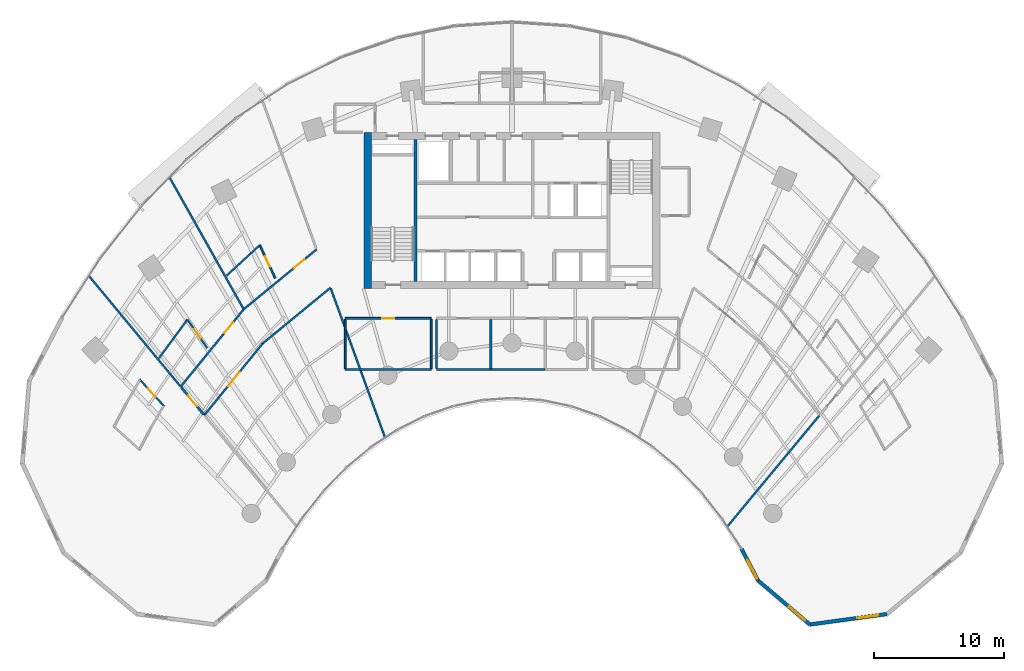
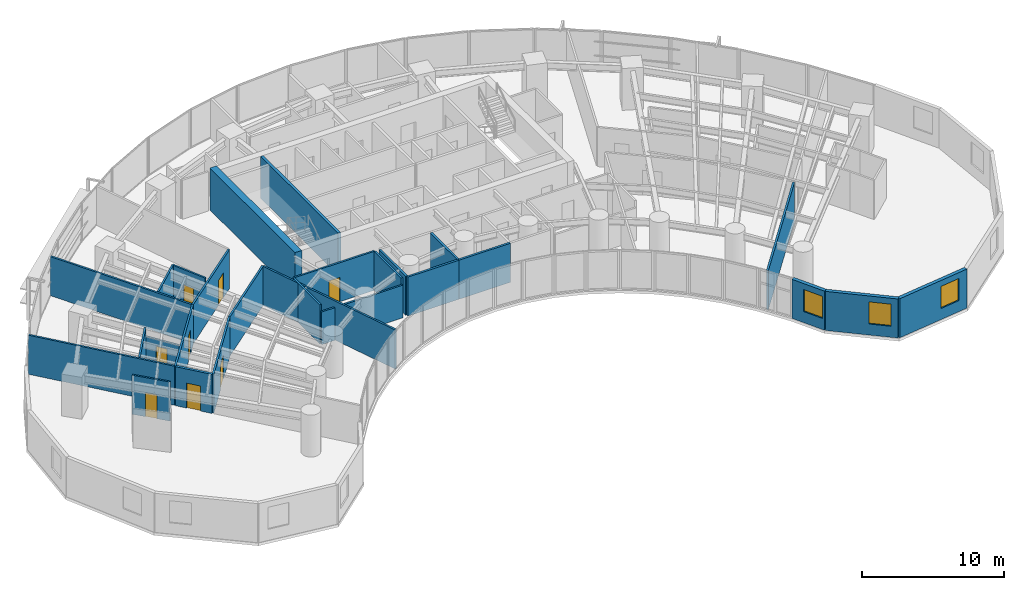
# One storey, part 11 of 17: 27 walls, 8 doors, 3 windows, 11 openings.
"""IFC4 building model written with IfcOpenShell, lengths in metres."""

import ifcopenshell
import ifcopenshell.guid

model = None  # the IFC model being written
_history = None  # IfcOwnerHistory: only IFC2X3 demands one
_inside = {}  # id of a spatial element -> (the spatial element, [elements in it])
_under = {}  # id of a project, library or spatial element -> (it, [spatial elements below it])
_declared = {}  # id of a project -> (the project, [libraries it declares])
_typed = {}  # id of a type object -> (the type object, [elements of that type])
_made_of = {}  # id of a material, layer set ... -> (it, [elements and type objects made of it])


def new_model(schema):
    """Start an empty IFC model of exactly this schema.

    Asked for "IFC4X3", IfcOpenShell would pick the latest addendum, in which some entities
    have other attributes; the version numbers below select the first issue.
    IFC2X3 requires an IfcOwnerHistory on every rooted entity: one is made here for all.
    """
    global model, _history
    if schema == "IFC4X3":
        model = ifcopenshell.file(schema_version=(4, 3, 0, 0))
    else:
        model = ifcopenshell.file(schema=schema)
    _inside.clear()
    _under.clear()
    _declared.clear()
    _typed.clear()
    _made_of.clear()
    _history = None
    if model.schema == "IFC2X3":
        org = make("IfcOrganization", Name="unknown")
        user = make(
            "IfcPersonAndOrganization",
            ThePerson=make("IfcPerson", FamilyName="unknown"),
            TheOrganization=org,
        )
        app = make(
            "IfcApplication",
            ApplicationDeveloper=org,
            Version="unknown",
            ApplicationFullName="unknown",
            ApplicationIdentifier="unknown",
        )
        _history = make(
            "IfcOwnerHistory",
            OwningUser=user,
            OwningApplication=app,
            ChangeAction="ADDED",
            CreationDate=0,
        )
    return model


def make(cls, **values):
    """One entity of the class cls with the attributes given. An attribute that is None is left unset."""
    return model.create_entity(
        cls, **{name: value for name, value in values.items() if value is not None}
    )


def rooted(cls, **values):
    """An entity with a GlobalId (a new one), such as an element, a storey or a relation."""
    return make(cls, GlobalId=ifcopenshell.guid.new(), OwnerHistory=_history, **values)


def si_unit(unit_type, name, prefix=None):
    """IfcSIUnit, for example si_unit("LENGTHUNIT", "METRE", prefix="MILLI")."""
    return make("IfcSIUnit", UnitType=unit_type, Prefix=prefix, Name=name)


def assignment(units):
    """IfcUnitAssignment: the units of a project."""
    return None if units is None else make("IfcUnitAssignment", Units=units)


def point(xyz):
    """IfcCartesianPoint."""
    return None if xyz is None else make("IfcCartesianPoint", Coordinates=xyz)


def direction(xyz):
    """IfcDirection."""
    return None if xyz is None else make("IfcDirection", DirectionRatios=xyz)


def frame(location, z_axis=None, x_axis=None):
    """IfcAxis2Placement3D, a coordinate frame: its origin and axes. An axis left out is left unset."""
    return make(
        "IfcAxis2Placement3D",
        Location=point(location),
        Axis=direction(z_axis),
        RefDirection=direction(x_axis),
    )


def frame_2d(location, x_axis=None):
    """IfcAxis2Placement2D, a coordinate frame in the plane: its origin and x axis."""
    return make(
        "IfcAxis2Placement2D", Location=point(location), RefDirection=direction(x_axis)
    )


def origin():
    """The frame at (0, 0, 0) with its axes left unset."""
    return frame((0.0, 0.0, 0.0))


def place(relative_to, where):
    """IfcLocalPlacement: puts the frame where relative to a parent placement (None: the world)."""
    return make(
        "IfcLocalPlacement", PlacementRelTo=relative_to, RelativePlacement=where
    )


def context(
    kind, dimensions, precision=None, world=None, true_north=None, identifier=None
):
    """IfcGeometricRepresentationContext, for example the 3D "Model" context."""
    return make(
        "IfcGeometricRepresentationContext",
        ContextIdentifier=identifier,
        ContextType=kind,
        CoordinateSpaceDimension=dimensions,
        Precision=precision,
        WorldCoordinateSystem=world,
        TrueNorth=true_north,
    )


def subcontext(parent, identifier, kind, view, scale=None):
    """IfcGeometricRepresentationSubContext, for example "Body" below "Model"."""
    return make(
        "IfcGeometricRepresentationSubContext",
        ContextIdentifier=identifier,
        ContextType=kind,
        ParentContext=parent,
        TargetScale=scale,
        TargetView=view,
    )


def project(units=None, contexts=None):
    """IfcProject with its units and contexts."""
    return rooted(
        "IfcProject",
        Name="project",
        RepresentationContexts=contexts,
        UnitsInContext=assignment(units),
    )


def spatial(cls, under=None, at=None, **own):
    """A site, building, storey or space (cls), placed at a placement, below another one or the project."""
    s = rooted(cls, ObjectPlacement=at, **own)
    if under is not None:
        _under.setdefault(under.id(), (under, []))[1].append(s)
    return s


def profile(cls, at=None, kind="AREA", **sizes):
    """A parametric profile (cls). Its sizes go by their IFC names, for example OverallWidth=200.0."""
    return make(cls, ProfileType=kind, Position=at, **sizes)


def rectangle(**sizes):
    """IfcRectangleProfileDef."""
    return profile("IfcRectangleProfileDef", **sizes)


def extrude(swept, where, along, depth):
    """IfcExtrudedAreaSolid: the profile swept, set in the frame where, extruded along a direction by depth."""
    return make(
        "IfcExtrudedAreaSolid",
        SweptArea=swept,
        Position=where,
        ExtrudedDirection=direction(along),
        Depth=depth,
    )


def shape(context_of_items, identifier, shape_type, items):
    """IfcShapeRepresentation: the items that make up one representation, for example the "Body"."""
    return make(
        "IfcShapeRepresentation",
        ContextOfItems=context_of_items,
        RepresentationIdentifier=identifier,
        RepresentationType=shape_type,
        Items=items,
    )


def source(mapping_origin, context_of_items, identifier, shape_type, items):
    """IfcRepresentationMap: a shape defined once, which mapped items show again and again."""
    return make(
        "IfcRepresentationMap",
        MappingOrigin=mapping_origin,
        MappedRepresentation=shape(context_of_items, identifier, shape_type, items),
    )


def transform(
    local_origin,
    x_axis=None,
    y_axis=None,
    z_axis=None,
    scale=None,
    scale2=None,
    scale3=None,
    uniform=True,
):
    """IfcCartesianTransformationOperator3D, or its non-uniform kind. x_axis, y_axis, z_axis: its Axis1, 2, 3."""
    if uniform:
        return make(
            "IfcCartesianTransformationOperator3D",
            Axis1=direction(x_axis),
            Axis2=direction(y_axis),
            LocalOrigin=point(local_origin),
            Scale=scale,
            Axis3=direction(z_axis),
        )
    return make(
        "IfcCartesianTransformationOperator3DnonUniform",
        Axis1=direction(x_axis),
        Axis2=direction(y_axis),
        LocalOrigin=point(local_origin),
        Scale=scale,
        Axis3=direction(z_axis),
        Scale2=scale2,
        Scale3=scale3,
    )


def mapped(mapping_source, mapping_target):
    """IfcMappedItem: shows the shape of a source again, moved by a transform."""
    return make(
        "IfcMappedItem", MappingSource=mapping_source, MappingTarget=mapping_target
    )


def material(Name=None, Category=None):
    """IfcMaterial."""
    return make("IfcMaterial", Name=Name, Category=Category)


def layer(
    of_material, thickness, ventilated=None, Name=None, Category=None, Priority=None
):
    """IfcMaterialLayer: one layer of a wall or slab, of a material (None: an air gap)."""
    return make(
        "IfcMaterialLayer",
        Material=of_material,
        LayerThickness=thickness,
        IsVentilated=ventilated,
        Name=Name,
        Category=Category,
        Priority=Priority,
    )


def layer_set(layers, Name=None):
    """IfcMaterialLayerSet."""
    return make("IfcMaterialLayerSet", MaterialLayers=layers, LayerSetName=Name)


def made_of(thing, what):
    """Note that an element or type object is made of a material, layer set ...; save() writes the relation."""
    if what is not None:
        _made_of.setdefault(what.id(), (what, []))[1].append(thing)
    return thing


def type_object(cls, material=None, **own):
    """A type object (cls), such as IfcWallType, which elements share."""
    return made_of(rooted(cls, **own), material)


def type_shapes(of_type, sources):
    """Give a type object the sources (RepresentationMaps) that its elements show as mapped items."""
    of_type.RepresentationMaps = sources


def element(
    cls,
    number,
    at=None,
    inside=None,
    cuts=None,
    type_object=None,
    material=None,
    context=None,
    identifier="Body",
    shape_type=None,
    held_by="IfcProductDefinitionShape",
    body=None,
    shapes=None,
    **own,
):
    """One element of the class cls, such as IfcWall. Its Tag is "e" and its number.

    at: its placement. inside: the storey or other place that contains it. cuts: it is an
    opening in that element (IfcRelVoidsElement). A single representation is given by context,
    identifier, shape_type and body (its items); several are given by shapes. held_by: the class
    of the entity that holds the representations. save() writes the other relations.
    """
    e = rooted(cls, Tag="e%d" % number, ObjectPlacement=at, **own)
    if body is not None:
        shapes = [shape(context, identifier, shape_type, body)]
    if shapes is not None:
        e.Representation = make(held_by, Representations=shapes)
    if inside is not None:
        _inside.setdefault(inside.id(), (inside, []))[1].append(e)
    if cuts is not None:
        rooted(
            "IfcRelVoidsElement", RelatingBuildingElement=cuts, RelatedOpeningElement=e
        )
    if type_object is not None:
        _typed.setdefault(type_object.id(), (type_object, []))[1].append(e)
    return made_of(e, material)


def fill(opening, filler):
    """IfcRelFillsElement: the door or window that sits in an opening."""
    return rooted(
        "IfcRelFillsElement",
        RelatingOpeningElement=opening,
        RelatedBuildingElement=filler,
    )


def aggregate(whole, parts):
    """IfcRelAggregates: a whole, such as a stair, and the parts it consists of."""
    return rooted("IfcRelAggregates", RelatingObject=whole, RelatedObjects=parts)


def save(model, path):
    """Write the relations noted so far, then the file.

    IfcRelAggregates (storeys below a building ...), IfcRelContainedInSpatialStructure (elements
    in a storey), IfcRelDefinesByType, IfcRelAssociatesMaterial and IfcRelDeclares: one each for
    every whole, place, type object, material and project.
    """
    for whole, parts in _under.values():
        aggregate(whole, parts)
    for where, things in _inside.values():
        rooted(
            "IfcRelContainedInSpatialStructure",
            RelatedElements=things,
            RelatingStructure=where,
        )
    for kind, things in _typed.values():
        rooted("IfcRelDefinesByType", RelatedObjects=things, RelatingType=kind)
    for what, things in _made_of.values():
        rooted("IfcRelAssociatesMaterial", RelatedObjects=things, RelatingMaterial=what)
    for by, libraries in _declared.values():
        rooted("IfcRelDeclares", RelatingContext=by, RelatedDefinitions=libraries)
    model.write(path)


model = new_model("IFC4")

# Units and contexts
model_context = context("Model", 3, precision=1e-05, world=origin(), true_north=direction((0.0, 1.0)))
body_context = subcontext(model_context, "Body", "Model", "MODEL_VIEW")
ifc_project = project(units=[si_unit("LENGTHUNIT", "METRE"), si_unit("AREAUNIT", "SQUARE_METRE"), si_unit("VOLUMEUNIT", "CUBIC_METRE"), si_unit("PLANEANGLEUNIT", "RADIAN"), si_unit("MASSUNIT", "GRAM", prefix="KILO")], contexts=[model_context])

# Site, building, storey
site_placement = place(None, origin())
site = spatial("IfcSite", under=ifc_project, at=site_placement, CompositionType="ELEMENT")
building_placement = place(site_placement, origin())
building = spatial("IfcBuilding", under=site, at=building_placement, Name="Breltana Convention Tower", CompositionType="ELEMENT")
storey_placement = place(building_placement, frame((0.0, 0.0, 49.800048828125)))
storey = spatial("IfcBuildingStorey", under=building, at=storey_placement, Name="L10", CompositionType="ELEMENT", Elevation=49.800048828125)

# Walls
ifc_material_1 = material(Name="Concrete C60/75", Category="concrete")
ifc_layer_1 = layer(ifc_material_1, 0.550048828125, Name="Concrete C60/75")
ifc_layer_set_1 = layer_set([ifc_layer_1], Name="Concrete C60/75")
wall_type_1 = type_object("IfcWallType", Name="SW-CORE-550", PredefinedType="SHEAR", material=ifc_layer_set_1)
shared_shape_1 = source(origin(), body_context, "Body", "SweptSolid", [
    extrude(rectangle(XDim=12.0, YDim=0.550048828125, at=frame_2d((6.0, 0.0))), origin(), (0.0, 0.0, 1.0), 3.599853515625),
])
wall_1_placement = place(storey_placement, frame((36.925048828125, 60.199951171875, 0.0), z_axis=(0.0, 0.0, 1.0), x_axis=(0.0, 1.0, 0.0)))
element("IfcWall", 1, at=wall_1_placement, inside=storey, type_object=wall_type_1, Name="L10 West Core Shear Wall", PredefinedType="SHEAR", context=body_context, shape_type="MappedRepresentation", body=[
    mapped(shared_shape_1, transform((0.0, 0.0, 0.0), scale=1.0)),
])
ifc_material_2 = material(Name="Concrete C50/60", Category="concrete")
ifc_layer_2 = layer(ifc_material_2, 0.39990234375, Name="Concrete C50/60")
ifc_layer_set_2 = layer_set([ifc_layer_2], Name="Concrete C50/60")
wall_type_2 = type_object("IfcWallType", Name="SW-CORE-400", PredefinedType="SHEAR", material=ifc_layer_set_2)
shared_shape_2 = source(origin(), body_context, "Body", "SweptSolid", [
    extrude(rectangle(XDim=10.89990234375, YDim=0.219970703125, at=frame_2d((5.449951171875, 0.0))), origin(), (0.0, 0.0, 1.0), 3.599853515625),
])
wall_2_placement = place(storey_placement, frame((40.580078125, 60.75, 0.0), z_axis=(0.0, 0.0, 1.0), x_axis=(0.0, 1.0, 0.0)))
element("IfcWall", 2, at=wall_2_placement, inside=storey, type_object=wall_type_2, Name="L10 Core West Stair Spine Wall", PredefinedType="SHEAR", context=body_context, shape_type="MappedRepresentation", body=[
    mapped(shared_shape_2, transform((0.0, 0.0, 0.0), scale=1.0)),
])

# Wall, opening, window
ifc_material_3 = material(Name="Limestone Buff Insulated Wall", Category="masonry")
ifc_layer_3 = layer(ifc_material_3, 0.280029296875, Name="Limestone Buff Insulated Wall")
ifc_layer_set_3 = layer_set([ifc_layer_3], Name="Limestone Buff Insulated Wall")
wall_type_3 = type_object("IfcWallType", Name="WL-EXT-NOSE-280", PredefinedType="SOLIDWALL", material=ifc_layer_set_3)
shared_shape_3 = source(origin(), body_context, "Body", "SweptSolid", [
    extrude(rectangle(XDim=5.96728515625, YDim=0.280029296875, at=frame_2d((2.983642578125, 0.0))), origin(), (0.0, 0.0, 1.0), 3.35986328125),
])
wall_3_placement = place(storey_placement, frame((76.77734375, 35.226806640625, 0.0), z_axis=(0.0, 0.0, 1.0), x_axis=(-0.990927009341, -0.134401124099, 0.0)))
wall_3 = element("IfcWall", 3, at=wall_3_placement, inside=storey, type_object=wall_type_3, Name="L10 curved limestone nose wall E4", PredefinedType="SOLIDWALL", context=body_context, shape_type="MappedRepresentation", body=[
    mapped(shared_shape_3, transform((0.0, 0.0, 0.0), scale=1.0)),
])
opening_1_placement = place(wall_3_placement, frame((0.69189453125, 0.0, 0.949951171875)))
opening_1 = element("IfcOpeningElement", 4, at=opening_1_placement, cuts=wall_3, Name="Opening W-04", PredefinedType="OPENING", context=body_context, shape_type="SweptSolid", body=[
    extrude(rectangle(XDim=1.60009765625, YDim=1.89990234375, at=frame_2d((0.800048828125, 0.949951171875))), frame((0.0, 0.14990234375, 0.0), z_axis=(0.0, -1.0, 0.0), x_axis=(1.0, 0.0, 0.0)), (0.0, 0.0, 1.0), 0.300048828125),
])
ifc_material_4 = material(Name="Glass Low-E Insulated Window", Category="glass")
window_type = type_object("IfcWindowType", Name="WN-NOSE-1600X1900", PartitioningType="SINGLE_PANEL", PredefinedType="WINDOW", material=ifc_material_4)
shared_shape_4 = source(origin(), body_context, "Body", "SweptSolid", [
    extrude(rectangle(XDim=1.60009765625, YDim=1.89990234375, at=frame_2d((0.800048828125, 0.949951171875))), frame((0.0, 0.030029296875, 0.0), z_axis=(0.0, -1.0, 0.0), x_axis=(1.0, 0.0, 0.0)), (0.0, 0.0, 1.0), 0.06005859375),
])
type_shapes(window_type, [shared_shape_4])
window_1_placement = place(opening_1_placement, origin())
window_1 = element("IfcWindow", 5, at=window_1_placement, inside=storey, type_object=window_type, Name="L10 nose window E4", OverallHeight=1.89990234375, OverallWidth=1.60009765625, PartitioningType="SINGLE_PANEL", PredefinedType="WINDOW", context=body_context, shape_type="MappedRepresentation", body=[
    mapped(shared_shape_4, transform((0.0, 0.0, 0.0), scale=1.0)),
])
fill(opening_1, window_1)

shared_shape_5 = source(origin(), body_context, "Body", "SweptSolid", [
    extrude(rectangle(XDim=5.222412109375, YDim=0.280029296875, at=frame_2d((2.611328125, 0.0))), origin(), (0.0, 0.0, 1.0), 3.35986328125),
])
wall_4_placement = place(storey_placement, frame((70.8642578125, 34.4248046875, 0.0), z_axis=(0.0, 0.0, 1.0), x_axis=(-0.761900099546, 0.647694556339, 0.0)))
wall_4 = element("IfcWall", 6, at=wall_4_placement, inside=storey, type_object=wall_type_3, Name="L10 curved limestone nose wall E5", PredefinedType="SOLIDWALL", context=body_context, shape_type="MappedRepresentation", body=[
    mapped(shared_shape_5, transform((0.0, 0.0, 0.0), scale=1.0)),
])
opening_2_placement = place(wall_4_placement, frame((0.505615234375, 0.0, 0.949951171875)))
opening_2 = element("IfcOpeningElement", 7, at=opening_2_placement, cuts=wall_4, Name="Opening W-04", PredefinedType="OPENING", context=body_context, shape_type="SweptSolid", body=[
    extrude(rectangle(XDim=1.60009765625, YDim=1.89990234375, at=frame_2d((0.800048828125, 0.949951171875))), frame((0.0, 0.14990234375, 0.0), z_axis=(0.0, -1.0, 0.0), x_axis=(1.0, 0.0, 0.0)), (0.0, 0.0, 1.0), 0.300048828125),
])
window_2_placement = place(opening_2_placement, origin())
window_2 = element("IfcWindow", 8, at=window_2_placement, inside=storey, type_object=window_type, Name="L10 nose window E5", OverallHeight=1.89990234375, OverallWidth=1.60009765625, PartitioningType="SINGLE_PANEL", PredefinedType="WINDOW", context=body_context, shape_type="MappedRepresentation", body=[
    mapped(shared_shape_4, transform((0.0, 0.0, 0.0), scale=1.0)),
])
fill(opening_2, window_2)

shared_shape_6 = source(origin(), body_context, "Body", "SweptSolid", [
    extrude(rectangle(XDim=2.7353515625, YDim=0.280029296875, at=frame_2d((1.36767578125, 0.0))), origin(), (0.0, 0.0, 1.0), 3.35986328125),
])
wall_5_placement = place(storey_placement, frame((66.88525390625, 37.807373046875, 0.0), z_axis=(0.0, 0.0, 1.0), x_axis=(-0.46179107292, 0.886988728774, 0.0)))
wall_5 = element("IfcWall", 9, at=wall_5_placement, inside=storey, type_object=wall_type_3, Name="L10 curved limestone nose wall E6", PredefinedType="SOLIDWALL", context=body_context, shape_type="MappedRepresentation", body=[
    mapped(shared_shape_6, transform((0.0, 0.0, 0.0), scale=1.0)),
])
opening_3_placement = place(wall_5_placement, frame((0.159912109375, 0.0, 0.949951171875)))
opening_3 = element("IfcOpeningElement", 10, at=opening_3_placement, cuts=wall_5, Name="Opening W-04", PredefinedType="OPENING", context=body_context, shape_type="SweptSolid", body=[
    extrude(rectangle(XDim=1.60009765625, YDim=1.89990234375, at=frame_2d((0.800048828125, 0.949951171875))), frame((0.0, 0.14990234375, 0.0), z_axis=(0.0, -1.0, 0.0), x_axis=(1.0, 0.0, 0.0)), (0.0, 0.0, 1.0), 0.300048828125),
])
window_3_placement = place(opening_3_placement, origin())
window_3 = element("IfcWindow", 11, at=window_3_placement, inside=storey, type_object=window_type, Name="L10 nose window E6", OverallHeight=1.89990234375, OverallWidth=1.60009765625, PartitioningType="SINGLE_PANEL", PredefinedType="WINDOW", context=body_context, shape_type="MappedRepresentation", body=[
    mapped(shared_shape_4, transform((0.0, 0.0, 0.0), scale=1.0)),
])
fill(opening_3, window_3)

# Wall
ifc_material_5 = material(Name="Gypsum Acoustic Drywall Partition")
ifc_layer_4 = layer(ifc_material_5, 0.14990234375, Name="Gypsum Acoustic Drywall Partition")
ifc_layer_set_4 = layer_set([ifc_layer_4], Name="Gypsum Acoustic Drywall Partition")
wall_type_4 = type_object("IfcWallType", Name="WL-PART-150", PredefinedType="PARTITIONING", material=ifc_layer_set_4)
shared_shape_7 = source(origin(), body_context, "Body", "SweptSolid", [
    extrude(rectangle(XDim=6.60009765625, YDim=0.14990234375, at=frame_2d((3.300048828125, 0.0))), origin(), (0.0, 0.0, 1.0), 2.802978515625),
])
wall_6_placement = place(storey_placement, frame((35.199951171875, 54.0, 0.0), z_axis=(0.0, 0.0, 1.0), x_axis=(1.0, 0.0, 0.0)))
element("IfcWall", 12, at=wall_6_placement, inside=storey, type_object=wall_type_4, Name="L10 interior partition W-L10-HSK-S", PredefinedType="PARTITIONING", context=body_context, shape_type="MappedRepresentation", body=[
    mapped(shared_shape_7, transform((0.0, 0.0, 0.0), scale=1.0)),
])

# Wall, opening, door
shared_shape_8 = source(origin(), body_context, "Body", "SweptSolid", [
    extrude(rectangle(XDim=6.60009765625, YDim=0.14990234375, at=frame_2d((3.300048828125, 0.0))), origin(), (0.0, 0.0, 1.0), 3.35986328125),
])
wall_7_placement = place(storey_placement, frame((35.199951171875, 57.919921875, 0.0), z_axis=(0.0, 0.0, 1.0), x_axis=(1.0, 0.0, 0.0)))
wall_7 = element("IfcWall", 13, at=wall_7_placement, inside=storey, type_object=wall_type_4, Name="L10 interior partition W-L10-HSK-N", PredefinedType="PARTITIONING", context=body_context, shape_type="MappedRepresentation", body=[
    mapped(shared_shape_8, transform((0.0, 0.0, 0.0), scale=1.0)),
])
opening_4_placement = place(wall_7_placement, frame((2.85009765625, 0.0, 0.0)))
opening_4 = element("IfcOpeningElement", 14, at=opening_4_placement, cuts=wall_7, Name="Opening D-18", PredefinedType="OPENING", context=body_context, shape_type="SweptSolid", body=[
    extrude(rectangle(XDim=0.89990234375, YDim=2.10009765625, at=frame_2d((0.449951171875, 1.050048828125))), frame((0.0, 0.0849609375, 0.0), z_axis=(0.0, -1.0, 0.0), x_axis=(1.0, 0.0, 0.0)), (0.0, 0.0, 1.0), 0.169921875),
])
ifc_material_6 = material(Name="Steel Riser Fire Door", Category="steel")
door_type_1 = type_object("IfcDoorType", Name="DR-FD60-900", OperationType="NOTDEFINED", PredefinedType="DOOR", material=ifc_material_6)
shared_shape_9 = source(origin(), body_context, "Body", "SweptSolid", [
    extrude(rectangle(XDim=0.89990234375, YDim=2.10009765625, at=frame_2d((0.449951171875, 1.050048828125))), frame((0.0, 0.02490234375, 0.0), z_axis=(0.0, -1.0, 0.0), x_axis=(1.0, 0.0, 0.0)), (0.0, 0.0, 1.0), 0.050048828125),
])
type_shapes(door_type_1, [shared_shape_9])
door_1_placement = place(opening_4_placement, origin())
door_1 = element("IfcDoor", 15, at=door_1_placement, inside=storey, type_object=door_type_1, Name="L10 interior door D-L10-HSK", OperationType="SINGLE_SWING_RIGHT", OverallHeight=2.10009765625, OverallWidth=0.89990234375, PredefinedType="DOOR", context=body_context, shape_type="MappedRepresentation", body=[
    mapped(shared_shape_9, transform((0.0, 0.0, 0.0), scale=1.0)),
])
fill(opening_4, door_1)

# Walls
shared_shape_10 = source(origin(), body_context, "Body", "SweptSolid", [
    extrude(rectangle(XDim=3.78515625, YDim=0.14990234375, at=frame_2d((1.892578125, 0.0))), origin(), (0.0, 0.0, 1.0), 3.35986328125),
])
for number, where, z_axis, x_axis, name in (
    (16, (35.199951171875, 54.0673828125, 0.0), (0.0, 0.0, 1.0), (0.0, 1.0, 0.0), "L10 interior partition W-L10-HSK-W"),
    (17, (41.800048828125, 54.0673828125, 0.0), (0.0, 0.0, 1.0), (0.0, 1.0, 0.0), "L10 interior partition W-L10-HSK-E"),
):
    element("IfcWall", number, at=place(storey_placement, frame(where, z_axis=z_axis, x_axis=x_axis)), inside=storey, type_object=wall_type_4, Name=name, PredefinedType="PARTITIONING", context=body_context, shape_type="MappedRepresentation", body=[
        mapped(shared_shape_10, transform((0.0, 0.0, 0.0), scale=1.0)),
    ])

# Wall, opening, door
ifc_material_7 = material(Name="Gypsum Acoustic Hotel Wall")
ifc_layer_5 = layer(ifc_material_7, 0.195068359375, Name="Gypsum Acoustic Hotel Wall")
ifc_layer_set_5 = layer_set([ifc_layer_5], Name="Gypsum Acoustic Hotel Wall")
wall_type_5 = type_object("IfcWallType", Name="WL-HOTEL-200", PredefinedType="PARTITIONING", material=ifc_layer_set_5)
shared_shape_11 = source(origin(), body_context, "Body", "SweptSolid", [
    extrude(rectangle(XDim=2.748291015625, YDim=0.195068359375, at=frame_2d((1.3740234375, 0.0))), origin(), (0.0, 0.0, 1.0), 3.35986328125),
])
wall_8_placement = place(storey_placement, frame((24.35302734375, 50.531005859375, 0.0), z_axis=(0.0, 0.0, 1.0), x_axis=(-0.638111168284, 0.769944242729, 0.0)))
wall_8 = element("IfcWall", 18, at=wall_8_placement, inside=storey, type_object=wall_type_5, Name="L10 interior partition W-L10-CS-W-END", PredefinedType="PARTITIONING", context=body_context, shape_type="MappedRepresentation", body=[
    mapped(shared_shape_11, transform((0.0, 0.0, 0.0), scale=1.0)),
])
opening_5_placement = place(wall_8_placement, frame((0.84912109375, 0.0, 0.0)))
opening_5 = element("IfcOpeningElement", 19, at=opening_5_placement, cuts=wall_8, Name="Opening D-13", PredefinedType="OPENING", context=body_context, shape_type="SweptSolid", body=[
    extrude(rectangle(XDim=1.050048828125, YDim=2.14990234375, at=frame_2d((0.52490234375, 1.074951171875))), frame((0.0, 0.107421875, 0.0), z_axis=(0.0, -1.0, 0.0), x_axis=(1.0, 0.0, 0.0)), (0.0, 0.0, 1.0), 0.215087890625),
])
ifc_material_8 = material(Name="Timber Solid-Core Fire Door", Category="wood")
door_type_2 = type_object("IfcDoorType", Name="DR-FD60-1050", OperationType="NOTDEFINED", PredefinedType="DOOR", material=ifc_material_8)
shared_shape_12 = source(origin(), body_context, "Body", "SweptSolid", [
    extrude(rectangle(XDim=1.050048828125, YDim=2.14990234375, at=frame_2d((0.52490234375, 1.074951171875))), frame((0.0, 0.02490234375, 0.0), z_axis=(0.0, -1.0, 0.0), x_axis=(1.0, 0.0, 0.0)), (0.0, 0.0, 1.0), 0.050048828125),
])
type_shapes(door_type_2, [shared_shape_12])
door_2_placement = place(opening_5_placement, origin())
door_2 = element("IfcDoor", 20, at=door_2_placement, inside=storey, type_object=door_type_2, Name="L10 interior door D-L10-CS-W", OperationType="SINGLE_SWING_LEFT", OverallHeight=2.14990234375, OverallWidth=1.050048828125, PredefinedType="DOOR", context=body_context, shape_type="MappedRepresentation", body=[
    mapped(shared_shape_12, transform((0.0, 0.0, 0.0), scale=1.0)),
])
fill(opening_5, door_2)

ifc_material_9 = material(Name="Moisture-Resistant En-Suite Partition")
ifc_layer_6 = layer(ifc_material_9, 0.139892578125, Name="Moisture-Resistant En-Suite Partition")
ifc_layer_set_6 = layer_set([ifc_layer_6], Name="Moisture-Resistant En-Suite Partition")
wall_type_6 = type_object("IfcWallType", Name="WL-WET-150", PredefinedType="PARTITIONING", material=ifc_layer_set_6)
shared_shape_13 = source(origin(), body_context, "Body", "SweptSolid", [
    extrude(rectangle(XDim=2.812255859375, YDim=0.139892578125, at=frame_2d((1.40625, 0.0))), origin(), (0.0, 0.0, 1.0), 3.35986328125),
])
wall_9_placement = place(storey_placement, frame((21.30322265625, 51.176513671875, 0.0), z_axis=(0.0, 0.0, 1.0), x_axis=(-0.675119025852, 0.737708818527, 0.0)))
wall_9 = element("IfcWall", 21, at=wall_9_placement, inside=storey, type_object=wall_type_6, Name="L10 interior partition W-L10-CSENS-W-W", PredefinedType="PARTITIONING", context=body_context, shape_type="MappedRepresentation", body=[
    mapped(shared_shape_13, transform((0.0, 0.0, 0.0), scale=1.0)),
])
opening_6_placement = place(wall_9_placement, frame((0.981201171875, 0.0, 0.0)))
opening_6 = element("IfcOpeningElement", 22, at=opening_6_placement, cuts=wall_9, Name="Opening D-21", PredefinedType="OPENING", context=body_context, shape_type="SweptSolid", body=[
    extrude(rectangle(XDim=0.85009765625, YDim=2.050048828125, at=frame_2d((0.425048828125, 1.02490234375))), frame((0.0, 0.080078125, 0.0), z_axis=(0.0, -1.0, 0.0), x_axis=(1.0, 0.0, 0.0)), (0.0, 0.0, 1.0), 0.159912109375),
])
ifc_material_10 = material(Name="Timber Moisture-Resistant En-Suite Door", Category="wood")
door_type_3 = type_object("IfcDoorType", Name="DR-WET-850", OperationType="NOTDEFINED", PredefinedType="DOOR", material=ifc_material_10)
shared_shape_14 = source(origin(), body_context, "Body", "SweptSolid", [
    extrude(rectangle(XDim=0.85009765625, YDim=2.050048828125, at=frame_2d((0.425048828125, 1.02490234375))), frame((0.0, 0.02490234375, 0.0), z_axis=(0.0, -1.0, 0.0), x_axis=(1.0, 0.0, 0.0)), (0.0, 0.0, 1.0), 0.050048828125),
])
type_shapes(door_type_3, [shared_shape_14])
door_3_placement = place(opening_6_placement, origin())
door_3 = element("IfcDoor", 23, at=door_3_placement, inside=storey, type_object=door_type_3, Name="L10 interior door D-L10-CSENS-W", OperationType="SINGLE_SWING_RIGHT", OverallHeight=2.050048828125, OverallWidth=0.85009765625, PredefinedType="DOOR", context=body_context, shape_type="MappedRepresentation", body=[
    mapped(shared_shape_14, transform((0.0, 0.0, 0.0), scale=1.0)),
])
fill(opening_6, door_3)

shared_shape_15 = source(origin(), body_context, "Body", "SweptSolid", [
    extrude(rectangle(XDim=2.662841796875, YDim=0.139892578125, at=frame_2d((1.33154296875, 0.0))), origin(), (0.0, 0.0, 1.0), 2.64404296875),
])
wall_10_placement = place(storey_placement, frame((24.6025390625, 55.64501953125, 0.0), z_axis=(0.0, 0.0, 1.0), x_axis=(-0.570905989724, 0.821015438891, 0.0)))
wall_10 = element("IfcWall", 24, at=wall_10_placement, inside=storey, type_object=wall_type_6, Name="L10 interior partition W-L10-HS01E-SD", PredefinedType="PARTITIONING", context=body_context, shape_type="MappedRepresentation", body=[
    mapped(shared_shape_15, transform((0.0, 0.0, 0.0), scale=1.0)),
])
opening_7_placement = place(wall_10_placement, frame((0.906494140625, 0.0, 0.0)))
opening_7 = element("IfcOpeningElement", 25, at=opening_7_placement, cuts=wall_10, Name="Opening D-21", PredefinedType="OPENING", context=body_context, shape_type="SweptSolid", body=[
    extrude(rectangle(XDim=0.85009765625, YDim=2.050048828125, at=frame_2d((0.425048828125, 1.02490234375))), frame((0.0, 0.080078125, 0.0), z_axis=(0.0, -1.0, 0.0), x_axis=(1.0, 0.0, 0.0)), (0.0, 0.0, 1.0), 0.159912109375),
])
door_4_placement = place(opening_7_placement, origin())
door_4 = element("IfcDoor", 26, at=door_4_placement, inside=storey, type_object=door_type_3, Name="L10 interior door D-L10-HS01E", OperationType="SINGLE_SWING_RIGHT", OverallHeight=2.050048828125, OverallWidth=0.85009765625, PredefinedType="DOOR", context=body_context, shape_type="MappedRepresentation", body=[
    mapped(shared_shape_14, transform((0.0, 0.0, 0.0), scale=1.0)),
])
fill(opening_7, door_4)

# Walls
ifc_material_11 = material(Name="Cement Board Wet-Area Partition")
ifc_layer_7 = layer(ifc_material_11, 0.175048828125, Name="Cement Board Wet-Area Partition")
ifc_layer_set_7 = layer_set([ifc_layer_7], Name="Cement Board Wet-Area Partition")
wall_type_7 = type_object("IfcWallType", Name="WL-WET-175", PredefinedType="PARTITIONING", material=ifc_layer_set_7)
shared_shape_16 = source(origin(), body_context, "Body", "SweptSolid", [
    extrude(rectangle(XDim=4.176025390625, YDim=0.175048828125, at=frame_2d((2.087890625, 0.0))), origin(), (0.0, 0.0, 1.0), 3.35986328125),
])
for number, where, z_axis, x_axis, name in (
    (27, (42.199951171875, 54.0, 0.0), (0.0, 0.0, 1.0), (1.0, 0.0, 0.0), "L10 interior partition W-L10-WCM-S"),
    (28, (46.3759765625, 54.0, 0.0), (0.0, 0.0, 1.0), (1.0, 0.0, 0.0), "L10 interior partition W-L10-WCF-S"),
):
    element("IfcWall", number, at=place(storey_placement, frame(where, z_axis=z_axis, x_axis=x_axis)), inside=storey, type_object=wall_type_7, Name=name, PredefinedType="PARTITIONING", context=body_context, shape_type="MappedRepresentation", body=[
        mapped(shared_shape_16, transform((0.0, 0.0, 0.0), scale=1.0)),
    ])
shared_shape_17 = source(origin(), body_context, "Body", "SweptSolid", [
    extrude(rectangle(XDim=3.7626953125, YDim=0.175048828125, at=frame_2d((1.88134765625, 0.0))), origin(), (0.0, 0.0, 1.0), 3.35986328125),
])
for number, where, z_axis, x_axis, name in (
    (29, (42.199951171875, 54.07861328125, 0.0), (0.0, 0.0, 1.0), (0.0, 1.0, 0.0), "L10 interior partition W-L10-WCM-W"),
    (30, (46.3759765625, 54.07861328125, 0.0), (0.0, 0.0, 1.0), (0.0, 1.0, 0.0), "L10 interior partition W-L10-WCM-E"),
):
    element("IfcWall", number, at=place(storey_placement, frame(where, z_axis=z_axis, x_axis=x_axis)), inside=storey, type_object=wall_type_7, Name=name, PredefinedType="PARTITIONING", context=body_context, shape_type="MappedRepresentation", body=[
        mapped(shared_shape_17, transform((0.0, 0.0, 0.0), scale=1.0)),
    ])

# Wall, opening, door
shared_shape_18 = source(origin(), body_context, "Body", "SweptSolid", [
    extrude(rectangle(XDim=7.65869140625, YDim=0.14990234375, at=frame_2d((3.829345703125, 0.0))), origin(), (0.0, 0.0, 1.0), 3.35986328125),
])
wall_11_placement = place(storey_placement, frame((22.569580078125, 52.682861328125, 0.0), z_axis=(0.0, 0.0, 1.0), x_axis=(0.631489868862, 0.775384127723, 0.0)))
wall_11 = element("IfcWall", 31, at=wall_11_placement, inside=storey, type_object=wall_type_4, Name="L10 interior partition W-L10-HS01-COR", PredefinedType="PARTITIONING", context=body_context, shape_type="MappedRepresentation", body=[
    mapped(shared_shape_18, transform((0.0, 0.0, 0.0), scale=1.0)),
])
opening_8_placement = place(wall_11_placement, frame((5.29541015625, 0.0, 0.0)))
opening_8 = element("IfcOpeningElement", 32, at=opening_8_placement, cuts=wall_11, Name="Opening D-13", PredefinedType="OPENING", context=body_context, shape_type="SweptSolid", body=[
    extrude(rectangle(XDim=1.050048828125, YDim=2.14990234375, at=frame_2d((0.52490234375, 1.074951171875))), frame((0.0, 0.0849609375, 0.0), z_axis=(0.0, -1.0, 0.0), x_axis=(1.0, 0.0, 0.0)), (0.0, 0.0, 1.0), 0.169921875),
])
door_5_placement = place(opening_8_placement, origin())
door_5 = element("IfcDoor", 33, at=door_5_placement, inside=storey, type_object=door_type_2, Name="L10 interior door D-L10-HS01", OperationType="SINGLE_SWING_LEFT", OverallHeight=2.14990234375, OverallWidth=1.050048828125, PredefinedType="DOOR", context=body_context, shape_type="MappedRepresentation", body=[
    mapped(shared_shape_12, transform((0.0, 0.0, 0.0), scale=1.0)),
])
fill(opening_8, door_5)

# Walls
shared_shape_19 = source(origin(), body_context, "Body", "SweptSolid", [
    extrude(rectangle(XDim=10.974609375, YDim=0.14990234375, at=frame_2d((5.4873046875, 0.0))), origin(), (0.0, 0.0, 1.0), 3.35986328125),
])
wall_12_placement = place(storey_placement, frame((22.539794921875, 52.71875, 0.0), z_axis=(0.0, 0.0, 1.0), x_axis=(-0.638125265812, 0.769932558821, 0.0)))
element("IfcWall", 34, at=wall_12_placement, inside=storey, type_object=wall_type_4, Name="L10 interior partition W-L10-HS01-RA", PredefinedType="PARTITIONING", context=body_context, shape_type="MappedRepresentation", body=[
    mapped(shared_shape_19, transform((0.0, 0.0, 0.0), scale=1.0)),
])
shared_shape_20 = source(origin(), body_context, "Body", "SweptSolid", [
    extrude(rectangle(XDim=11.572509765625, YDim=0.14990234375, at=frame_2d((5.7861328125, 0.0))), origin(), (0.0, 0.0, 1.0), 3.35986328125),
])
wall_13_placement = place(storey_placement, frame((27.3818359375, 58.6640625, 0.0), z_axis=(0.0, 0.0, 1.0), x_axis=(-0.490161073951, 0.871631872744, 0.0)))
element("IfcWall", 35, at=wall_13_placement, inside=storey, type_object=wall_type_4, Name="L10 interior partition W-L10-HS01-RB", PredefinedType="PARTITIONING", context=body_context, shape_type="MappedRepresentation", body=[
    mapped(shared_shape_20, transform((0.0, 0.0, 0.0), scale=1.0)),
])
shared_shape_21 = source(origin(), body_context, "Body", "SweptSolid", [
    extrude(rectangle(XDim=3.656494140625, YDim=0.139892578125, at=frame_2d((1.828125, 0.0))), origin(), (0.0, 0.0, 1.0), 3.35986328125),
])
wall_14_placement = place(storey_placement, frame((20.9150390625, 54.88623046875, 0.0), z_axis=(0.0, 0.0, 1.0), x_axis=(0.592700141555, 0.805423206892, 0.0)))
element("IfcWall", 36, at=wall_14_placement, inside=storey, type_object=wall_type_6, Name="L10 interior partition W-L10-HS01E-BK", PredefinedType="PARTITIONING", context=body_context, shape_type="MappedRepresentation", body=[
    mapped(shared_shape_21, transform((0.0, 0.0, 0.0), scale=1.0)),
])

# Wall, opening, door
shared_shape_22 = source(origin(), body_context, "Body", "SweptSolid", [
    extrude(rectangle(XDim=7.23681640625, YDim=0.14990234375, at=frame_2d((3.618408203125, 0.0))), origin(), (0.0, 0.0, 1.0), 3.35986328125),
])
wall_15_placement = place(storey_placement, frame((27.406005859375, 58.621337890625, 0.0), z_axis=(0.0, 0.0, 1.0), x_axis=(0.772813707793, 0.634632943557, 0.0)))
wall_15 = element("IfcWall", 37, at=wall_15_placement, inside=storey, type_object=wall_type_4, Name="L10 interior partition W-L10-HS02-COR", PredefinedType="PARTITIONING", context=body_context, shape_type="MappedRepresentation", body=[
    mapped(shared_shape_22, transform((0.0, 0.0, 0.0), scale=1.0)),
])
opening_9_placement = place(wall_15_placement, frame((4.97509765625, 0.0, 0.0)))
opening_9 = element("IfcOpeningElement", 38, at=opening_9_placement, cuts=wall_15, Name="Opening D-13", PredefinedType="OPENING", context=body_context, shape_type="SweptSolid", body=[
    extrude(rectangle(XDim=1.050048828125, YDim=2.14990234375, at=frame_2d((0.52490234375, 1.074951171875))), frame((0.0, 0.0849609375, 0.0), z_axis=(0.0, -1.0, 0.0), x_axis=(1.0, 0.0, 0.0)), (0.0, 0.0, 1.0), 0.169921875),
])
door_6_placement = place(opening_9_placement, origin())
door_6 = element("IfcDoor", 39, at=door_6_placement, inside=storey, type_object=door_type_2, Name="L10 interior door D-L10-HS02", OperationType="SINGLE_SWING_LEFT", OverallHeight=2.14990234375, OverallWidth=1.050048828125, PredefinedType="DOOR", context=body_context, shape_type="MappedRepresentation", body=[
    mapped(shared_shape_12, transform((0.0, 0.0, 0.0), scale=1.0)),
])
fill(opening_9, door_6)

# Wall
shared_shape_23 = source(origin(), body_context, "Body", "SweptSolid", [
    extrude(rectangle(XDim=3.456298828125, YDim=0.139892578125, at=frame_2d((1.72802734375, 0.0))), origin(), (0.0, 0.0, 1.0), 3.35986328125),
])
wall_16_placement = place(storey_placement, frame((26.095458984375, 61.207275390625, 0.0), z_axis=(0.0, 0.0, 1.0), x_axis=(0.736860870293, 0.676044420013, 0.0)))
element("IfcWall", 40, at=wall_16_placement, inside=storey, type_object=wall_type_6, Name="L10 interior partition W-L10-HS02E-BK", PredefinedType="PARTITIONING", context=body_context, shape_type="MappedRepresentation", body=[
    mapped(shared_shape_23, transform((0.0, 0.0, 0.0), scale=1.0)),
])

# Wall, opening, door
shared_shape_24 = source(origin(), body_context, "Body", "SweptSolid", [
    extrude(rectangle(XDim=2.796142578125, YDim=0.139892578125, at=frame_2d((1.39794921875, 0.0))), origin(), (0.0, 0.0, 1.0), 3.35986328125),
])
wall_17_placement = place(storey_placement, frame((29.8232421875, 61.00927734375, 0.0), z_axis=(0.0, 0.0, 1.0), x_axis=(-0.422316594955, 0.906448395456, 0.0)))
wall_17 = element("IfcWall", 41, at=wall_17_placement, inside=storey, type_object=wall_type_6, Name="L10 interior partition W-L10-HS02E-SD", PredefinedType="PARTITIONING", context=body_context, shape_type="MappedRepresentation", body=[
    mapped(shared_shape_24, transform((0.0, 0.0, 0.0), scale=1.0)),
])
opening_10_placement = place(wall_17_placement, frame((0.97314453125, 0.0, 0.0)))
opening_10 = element("IfcOpeningElement", 42, at=opening_10_placement, cuts=wall_17, Name="Opening D-21", PredefinedType="OPENING", context=body_context, shape_type="SweptSolid", body=[
    extrude(rectangle(XDim=0.85009765625, YDim=2.050048828125, at=frame_2d((0.425048828125, 1.02490234375))), frame((0.0, 0.080078125, 0.0), z_axis=(0.0, -1.0, 0.0), x_axis=(1.0, 0.0, 0.0)), (0.0, 0.0, 1.0), 0.159912109375),
])
door_7_placement = place(opening_10_placement, origin())
door_7 = element("IfcDoor", 43, at=door_7_placement, inside=storey, type_object=door_type_3, Name="L10 interior door D-L10-HS02E", OperationType="SINGLE_SWING_RIGHT", OverallHeight=2.050048828125, OverallWidth=0.85009765625, PredefinedType="DOOR", context=body_context, shape_type="MappedRepresentation", body=[
    mapped(shared_shape_14, transform((0.0, 0.0, 0.0), scale=1.0)),
])
fill(opening_10, door_7)

shared_shape_25 = source(origin(), body_context, "Body", "SweptSolid", [
    extrude(rectangle(XDim=7.112548828125, YDim=0.14990234375, at=frame_2d((3.55615234375, 0.0))), origin(), (0.0, 0.0, 1.0), 3.35986328125),
])
wall_18_placement = place(storey_placement, frame((24.3828125, 50.4951171875, 0.0), z_axis=(0.0, 0.0, 1.0), x_axis=(0.63149032532, 0.775383755974, 0.0)))
wall_18 = element("IfcWall", 44, at=wall_18_placement, inside=storey, type_object=wall_type_4, Name="L10 interior partition W-L10-HCF1-COR1", PredefinedType="PARTITIONING", context=body_context, shape_type="MappedRepresentation", body=[
    mapped(shared_shape_25, transform((0.0, 0.0, 0.0), scale=1.0)),
])
opening_11_placement = place(wall_18_placement, frame((2.856201171875, 0.0, 0.0)))
opening_11 = element("IfcOpeningElement", 45, at=opening_11_placement, cuts=wall_18, Name="Opening D-05", PredefinedType="OPENING", context=body_context, shape_type="SweptSolid", body=[
    extrude(rectangle(XDim=1.39990234375, YDim=2.14990234375, at=frame_2d((0.699951171875, 1.074951171875))), frame((0.0, 0.0849609375, 0.0), z_axis=(0.0, -1.0, 0.0), x_axis=(1.0, 0.0, 0.0)), (0.0, 0.0, 1.0), 0.169921875),
])
ifc_material_12 = material(Name="Timber Veneer Glazed Double Door", Category="wood")
door_type_4 = type_object("IfcDoorType", Name="DR-DBL-1400", OperationType="DOUBLE_DOOR_SINGLE_SWING", PredefinedType="DOOR", material=ifc_material_12)
shared_shape_26 = source(origin(), body_context, "Body", "SweptSolid", [
    extrude(rectangle(XDim=1.39990234375, YDim=2.14990234375, at=frame_2d((0.699951171875, 1.074951171875))), frame((0.0, 0.02490234375, 0.0), z_axis=(0.0, -1.0, 0.0), x_axis=(1.0, 0.0, 0.0)), (0.0, 0.0, 1.0), 0.050048828125),
])
type_shapes(door_type_4, [shared_shape_26])
door_8_placement = place(opening_11_placement, origin())
door_8 = element("IfcDoor", 46, at=door_8_placement, inside=storey, type_object=door_type_4, Name="L10 interior door D-L10-HCF1", OperationType="SINGLE_SWING_LEFT", OverallHeight=2.14990234375, OverallWidth=1.39990234375, PredefinedType="DOOR", context=body_context, shape_type="MappedRepresentation", body=[
    mapped(shared_shape_26, transform((0.0, 0.0, 0.0), scale=1.0)),
])
fill(opening_11, door_8)

# Walls
shared_shape_27 = source(origin(), body_context, "Body", "SweptSolid", [
    extrude(rectangle(XDim=6.72119140625, YDim=0.14990234375, at=frame_2d((3.360595703125, 0.0))), origin(), (0.0, 0.0, 1.0), 3.35986328125),
])
wall_19_placement = place(storey_placement, frame((28.874267578125, 56.010009765625, 0.0), z_axis=(0.0, 0.0, 1.0), x_axis=(0.772828051199, 0.63461547671, 0.0)))
element("IfcWall", 47, at=wall_19_placement, inside=storey, type_object=wall_type_4, Name="L10 interior partition W-L10-HCF1-COR2", PredefinedType="PARTITIONING", context=body_context, shape_type="MappedRepresentation", body=[
    mapped(shared_shape_27, transform((0.0, 0.0, 0.0), scale=1.0)),
])
shared_shape_28 = source(origin(), body_context, "Body", "SweptSolid", [
    extrude(rectangle(XDim=11.05322265625, YDim=0.14990234375, at=frame_2d((5.526611328125, 0.0))), origin(), (0.0, 0.0, 1.0), 3.35986328125),
])
wall_20_placement = place(storey_placement, frame((64.533935546875, 41.948974609375, 0.0), z_axis=(0.0, 0.0, 1.0), x_axis=(0.638131235571, 0.769927611005, 0.0)))
element("IfcWall", 48, at=wall_20_placement, inside=storey, type_object=wall_type_4, Name="L10 interior partition W-L10-HCF2-RB", PredefinedType="PARTITIONING", context=body_context, shape_type="MappedRepresentation", body=[
    mapped(shared_shape_28, transform((0.0, 0.0, 0.0), scale=1.0)),
])
shared_shape_29 = source(origin(), body_context, "Body", "SweptSolid", [
    extrude(rectangle(XDim=12.1962890625, YDim=0.14990234375, at=frame_2d((6.09814453125, 0.0))), origin(), (0.0, 0.0, 1.0), 3.35986328125),
])
wall_21_placement = place(storey_placement, frame((38.257568359375, 48.766357421875, 0.0), z_axis=(0.0, 0.0, 1.0), x_axis=(-0.342022711534, 0.939691686031, 0.0)))
element("IfcWall", 49, at=wall_21_placement, inside=storey, type_object=wall_type_4, Name="L10 interior partition W-L10-HCF1-RB", PredefinedType="PARTITIONING", context=body_context, shape_type="MappedRepresentation", body=[
    mapped(shared_shape_29, transform((0.0, 0.0, 0.0), scale=1.0)),
])

save(model, "model.ifc")
